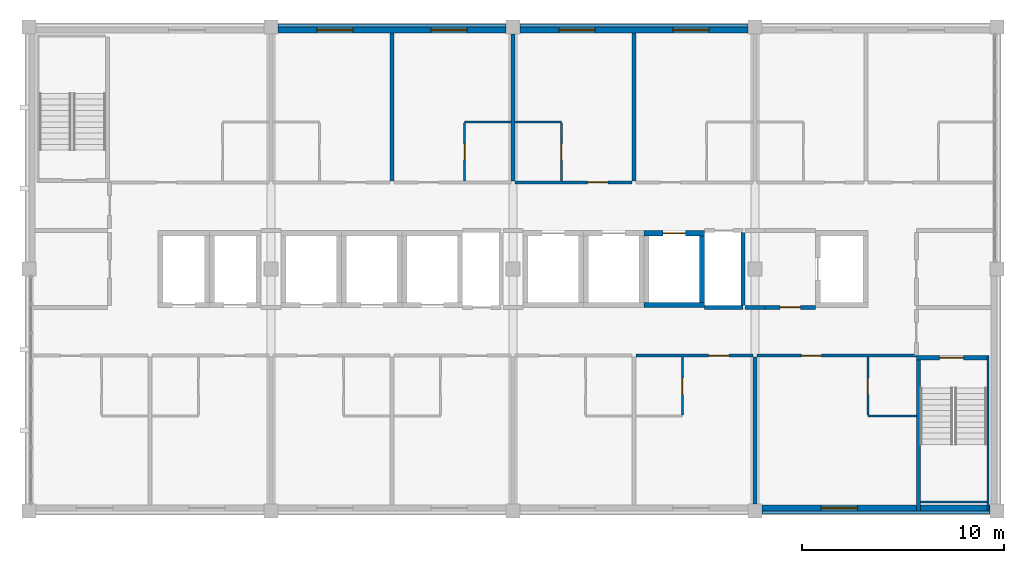
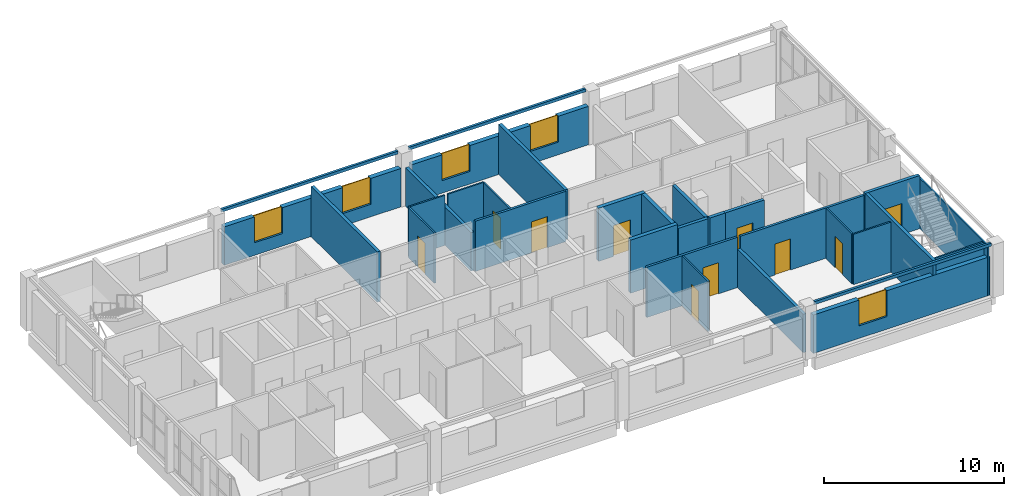
# One storey, part 8 of 11: 31 walls, 10 doors, 5 windows, 15 openings.
"""IFC4 building model written with IfcOpenShell, lengths in metres."""

from ifc_helpers import new_model, si_unit, direction, frame, frame_2d, origin, place, context, subcontext, project, spatial, rectangle, extrude, material, layer, layer_set, type_object, element, fill, save


model = new_model("IFC4")

# Units and contexts
model_context = context("Model", 3, precision=1e-05, world=origin(), true_north=direction((0.0, 1.0)))
body_context = subcontext(model_context, "Body", "Model", "MODEL_VIEW")
ifc_project = project(units=[si_unit("LENGTHUNIT", "METRE"), si_unit("AREAUNIT", "SQUARE_METRE"), si_unit("VOLUMEUNIT", "CUBIC_METRE"), si_unit("PLANEANGLEUNIT", "RADIAN"), si_unit("MASSUNIT", "GRAM", prefix="KILO")], contexts=[model_context])

# Site, building, storey
site_placement = place(None, origin())
site = spatial("IfcSite", under=ifc_project, at=site_placement, CompositionType="ELEMENT")
building_placement = place(site_placement, origin())
building = spatial("IfcBuilding", under=site, at=building_placement, Name="Lilac Gate Convention Centre", CompositionType="ELEMENT")
storey_placement = place(building_placement, frame((0.0, 0.0, 60.60009765625)))
storey = spatial("IfcBuildingStorey", under=building, at=storey_placement, Name="L15", CompositionType="ELEMENT", Elevation=60.60009765625)

# Walls
ifc_material_1 = material(Name="Concrete C40", Category="concrete")
ifc_layer_1 = layer(ifc_material_1, 0.10009765625)
ifc_layer_set_1 = layer_set([ifc_layer_1], Name="Concrete C40")
wall_type_1 = type_object("IfcWallType", Name="Core wall 100 C40", PredefinedType="SHEAR", material=ifc_layer_set_1)
wall_1_placement = place(storey_placement, frame((89.550048828125, 229.699951171875, 0.0), z_axis=(0.0, 0.0, 1.0), x_axis=(0.0, -1.0, 0.0)))
element("IfcWall", 1, at=wall_1_placement, inside=storey, type_object=wall_type_1, Name="CRW10 core wall TS-EX L15 1", PredefinedType="SHEAR", context=body_context, shape_type="SweptSolid", body=[
    extrude(rectangle(XDim=7.699951171875, YDim=0.10009765625, at=frame_2d((3.85009765625, 0.0))), origin(), (0.0, 0.0, 1.0), 3.39990234375),
])
wall_2_placement = place(storey_placement, frame((89.5, 222.449951171875, 0.0), z_axis=(0.0, 0.0, 1.0), x_axis=(-1.0, 0.0, 0.0)))
element("IfcWall", 2, at=wall_2_placement, inside=storey, type_object=wall_type_1, Name="CRW10 core wall TS-EX L15 2", PredefinedType="SHEAR", context=body_context, shape_type="SweptSolid", body=[
    extrude(rectangle(XDim=3.300048828125, YDim=0.10009765625, at=frame_2d((1.64990234375, 0.0))), origin(), (0.0, 0.0, 1.0), 3.39990234375),
])

# Wall, opening, door
ifc_layer_2 = layer(ifc_material_1, 0.199951171875)
ifc_layer_set_2 = layer_set([ifc_layer_2], Name="Concrete C40")
wall_type_2 = type_object("IfcWallType", Name="Core wall 200 C40", PredefinedType="SHEAR", material=ifc_layer_set_2)
wall_3_placement = place(storey_placement, frame((89.5, 229.60009765625, 0.0), z_axis=(0.0, 0.0, 1.0), x_axis=(-1.0, 0.0, 0.0)))
wall_3 = element("IfcWall", 3, at=wall_3_placement, inside=storey, type_object=wall_type_2, Name="CRW7 core wall TS-E L15 1", PredefinedType="SHEAR", context=body_context, shape_type="SweptSolid", body=[
    extrude(rectangle(XDim=3.5, YDim=0.199951171875, at=frame_2d((1.75, 0.0))), origin(), (0.0, 0.0, 1.0), 3.599853515625),
])
opening_1_placement = place(wall_3_placement, frame((1.14990234375, 0.0, 0.0)))
opening_1 = element("IfcOpeningElement", 4, at=opening_1_placement, cuts=wall_3, Name="Opening T15-046", PredefinedType="OPENING", context=body_context, shape_type="SweptSolid", body=[
    extrude(rectangle(XDim=1.199951171875, YDim=2.10009765625, at=frame_2d((0.60009765625, 1.050048828125))), frame((0.0, 0.10986328125, 0.0), z_axis=(0.0, -1.0, 0.0), x_axis=(1.0, 0.0, 0.0)), (0.0, 0.0, 1.0), 0.219970703125),
])
ifc_material_2 = material(Name="Steel Q235B", Category="steel")
door_type_1 = type_object("IfcDoorType", Name="Stair door 1200", OperationType="SINGLE_SWING_LEFT", PredefinedType="DOOR", material=ifc_material_2)
door_1_placement = place(opening_1_placement, origin())
door_1 = element("IfcDoor", 5, at=door_1_placement, inside=storey, type_object=door_type_1, Name="Stair door SE L15", OperationType="SINGLE_SWING_RIGHT", OverallHeight=2.10009765625, OverallWidth=1.199951171875, PredefinedType="DOOR", context=body_context, shape_type="SweptSolid", body=[
    extrude(rectangle(XDim=1.199951171875, YDim=2.10009765625, at=frame_2d((0.60009765625, 1.050048828125))), frame((0.0, 0.02490234375, 0.0), z_axis=(0.0, -1.0, 0.0), x_axis=(1.0, 0.0, 0.0)), (0.0, 0.0, 1.0), 0.050048828125),
])
fill(opening_1, door_1)

# Walls
wall_4_placement = place(storey_placement, frame((86.10009765625, 222.0, 0.0), z_axis=(0.0, 0.0, 1.0), x_axis=(0.0, 1.0, 0.0)))
element("IfcWall", 6, at=wall_4_placement, inside=storey, type_object=wall_type_2, Name="CRW7 core wall TS-E L15 2", PredefinedType="SHEAR", context=body_context, shape_type="SweptSolid", body=[
    extrude(rectangle(XDim=7.5, YDim=0.199951171875, at=frame_2d((3.75, 0.0))), origin(), (0.0, 0.0, 1.0), 3.599853515625),
])
ifc_layer_3 = layer(ifc_material_1, 0.25)
ifc_layer_set_3 = layer_set([ifc_layer_3], Name="Concrete C40")
wall_type_3 = type_object("IfcWallType", Name="Core wall 250 C40", PredefinedType="SHEAR", material=ifc_layer_set_3)
wall_5_placement = place(storey_placement, frame((72.5, 232.22509765625, 0.0), z_axis=(0.0, 0.0, 1.0), x_axis=(1.0, 0.0, 0.0)))
element("IfcWall", 7, at=wall_5_placement, inside=storey, type_object=wall_type_3, Name="CRW5 core wall TC L15 21", PredefinedType="SHEAR", context=body_context, shape_type="SweptSolid", body=[
    extrude(rectangle(XDim=3.0, YDim=0.25, at=frame_2d((1.5, 0.0))), origin(), (0.0, 0.0, 1.0), 3.599853515625),
])

# Wall, opening, door
wall_6_placement = place(storey_placement, frame((72.5, 235.77490234375, 0.0), z_axis=(0.0, 0.0, 1.0), x_axis=(1.0, 0.0, 0.0)))
wall_6 = element("IfcWall", 8, at=wall_6_placement, inside=storey, type_object=wall_type_3, Name="CRW5 core wall TC L15 22", PredefinedType="SHEAR", context=body_context, shape_type="SweptSolid", body=[
    extrude(rectangle(XDim=3.0, YDim=0.25, at=frame_2d((1.5, 0.0))), origin(), (0.0, 0.0, 1.0), 3.599853515625),
])
opening_2_placement = place(wall_6_placement, frame((0.949951171875, 0.0, 0.0)))
opening_2 = element("IfcOpeningElement", 9, at=opening_2_placement, cuts=wall_6, Name="Opening T15-041", PredefinedType="OPENING", context=body_context, shape_type="SweptSolid", body=[
    extrude(rectangle(XDim=1.10009765625, YDim=2.10009765625, at=frame_2d((0.550048828125, 1.050048828125))), frame((0.0, 0.135009765625, 0.0), z_axis=(0.0, -1.0, 0.0), x_axis=(1.0, 0.0, 0.0)), (0.0, 0.0, 1.0), 0.27001953125),
])
ifc_material_3 = material(Name="Stainless steel 304", Category="steel")
door_type_2 = type_object("IfcDoorType", Name="Lift landing door 1100", OperationType="SLIDING_TO_LEFT", PredefinedType="DOOR", material=ifc_material_3)
door_2_placement = place(opening_2_placement, origin())
door_2 = element("IfcDoor", 10, at=door_2_placement, inside=storey, type_object=door_type_2, Name="Lift landing door TP6 L15", OperationType="SLIDING_TO_LEFT", OverallHeight=2.10009765625, OverallWidth=1.10009765625, PredefinedType="DOOR", context=body_context, shape_type="SweptSolid", body=[
    extrude(rectangle(XDim=1.10009765625, YDim=2.10009765625, at=frame_2d((0.550048828125, 1.050048828125))), frame((0.0, 0.02490234375, 0.0), z_axis=(0.0, -1.0, 0.0), x_axis=(1.0, 0.0, 0.0)), (0.0, 0.0, 1.0), 0.050048828125),
])
fill(opening_2, door_2)

# Wall
wall_7_placement = place(storey_placement, frame((75.375, 232.35009765625, 0.0), z_axis=(0.0, 0.0, 1.0), x_axis=(0.0, 1.0, 0.0)))
element("IfcWall", 11, at=wall_7_placement, inside=storey, type_object=wall_type_3, Name="CRW5 core wall TC L15 24", PredefinedType="SHEAR", context=body_context, shape_type="SweptSolid", body=[
    extrude(rectangle(XDim=3.2998046875, YDim=0.25, at=frame_2d((1.64990234375, 0.0))), origin(), (0.0, 0.0, 1.0), 3.599853515625),
])

# Wall, opening, door
ifc_material_4 = material(Name="Gypsum board on steel stud", Category="steel")
ifc_layer_4 = layer(ifc_material_4, 0.14990234375)
ifc_layer_set_4 = layer_set([ifc_layer_4], Name="Gypsum board on steel stud")
wall_type_4 = type_object("IfcWallType", Name="Corridor wall 150", PredefinedType="PARTITIONING", material=ifc_layer_set_4)
wall_8_placement = place(storey_placement, frame((77.89990234375, 229.699951171875, 0.0), z_axis=(0.0, 0.0, 1.0), x_axis=(-1.0, 0.0, 0.0)))
wall_8 = element("IfcWall", 12, at=wall_8_placement, inside=storey, type_object=wall_type_4, Name="Corridor wall 150 front 1506", PredefinedType="PARTITIONING", context=body_context, shape_type="SweptSolid", body=[
    extrude(rectangle(XDim=5.7998046875, YDim=0.14990234375, at=frame_2d((2.89990234375, 0.0))), origin(), (0.0, 0.0, 1.0), 3.39990234375),
])
opening_3_placement = place(wall_8_placement, frame((1.199951171875, 0.0, 0.0)))
opening_3 = element("IfcOpeningElement", 13, at=opening_3_placement, cuts=wall_8, Name="Opening T15-018", PredefinedType="OPENING", context=body_context, shape_type="SweptSolid", body=[
    extrude(rectangle(XDim=1.0, YDim=2.10009765625, at=frame_2d((0.5, 1.050048828125))), frame((0.0, 0.0849609375, 0.0), z_axis=(0.0, -1.0, 0.0), x_axis=(1.0, 0.0, 0.0)), (0.0, 0.0, 1.0), 0.169921875),
])
ifc_material_5 = material(Name="Timber", Category="wood")
door_type_3 = type_object("IfcDoorType", Name="Guest room entrance door 1000", OperationType="SINGLE_SWING_LEFT", PredefinedType="DOOR", material=ifc_material_5)
door_3_placement = place(opening_3_placement, origin())
door_3 = element("IfcDoor", 14, at=door_3_placement, inside=storey, type_object=door_type_3, Name="Guest room door 1506", OperationType="SINGLE_SWING_LEFT", OverallHeight=2.10009765625, OverallWidth=1.0, PredefinedType="DOOR", context=body_context, shape_type="SweptSolid", body=[
    extrude(rectangle(XDim=1.0, YDim=2.10009765625, at=frame_2d((0.5, 1.050048828125))), frame((0.0, 0.02490234375, 0.0), z_axis=(0.0, -1.0, 0.0), x_axis=(1.0, 0.0, 0.0)), (0.0, 0.0, 1.0), 0.050048828125),
])
fill(opening_3, door_3)

wall_9_placement = place(storey_placement, frame((86.0, 229.699951171875, 0.0), z_axis=(0.0, 0.0, 1.0), x_axis=(-1.0, 0.0, 0.0)))
wall_9 = element("IfcWall", 15, at=wall_9_placement, inside=storey, type_object=wall_type_4, Name="Corridor wall 150 front 1507", PredefinedType="PARTITIONING", context=body_context, shape_type="SweptSolid", body=[
    extrude(rectangle(XDim=7.89990234375, YDim=0.14990234375, at=frame_2d((3.949951171875, 0.0))), origin(), (0.0, 0.0, 1.0), 3.39990234375),
])
opening_4_placement = place(wall_9_placement, frame((4.699951171875, 0.0, 0.0)))
opening_4 = element("IfcOpeningElement", 16, at=opening_4_placement, cuts=wall_9, Name="Opening T15-020", PredefinedType="OPENING", context=body_context, shape_type="SweptSolid", body=[
    extrude(rectangle(XDim=1.0, YDim=2.10009765625, at=frame_2d((0.5, 1.050048828125))), frame((0.0, 0.0849609375, 0.0), z_axis=(0.0, -1.0, 0.0), x_axis=(1.0, 0.0, 0.0)), (0.0, 0.0, 1.0), 0.169921875),
])
door_4_placement = place(opening_4_placement, origin())
door_4 = element("IfcDoor", 17, at=door_4_placement, inside=storey, type_object=door_type_3, Name="Guest room door 1507", OperationType="SINGLE_SWING_LEFT", OverallHeight=2.10009765625, OverallWidth=1.0, PredefinedType="DOOR", context=body_context, shape_type="SweptSolid", body=[
    extrude(rectangle(XDim=1.0, YDim=2.10009765625, at=frame_2d((0.5, 1.050048828125))), frame((0.0, 0.02490234375, 0.0), z_axis=(0.0, -1.0, 0.0), x_axis=(1.0, 0.0, 0.0)), (0.0, 0.0, 1.0), 0.050048828125),
])
fill(opening_4, door_4)

wall_10_placement = place(storey_placement, frame((66.10009765625, 238.300048828125, 0.0), z_axis=(0.0, 0.0, 1.0), x_axis=(1.0, 0.0, 0.0)))
wall_10 = element("IfcWall", 18, at=wall_10_placement, inside=storey, type_object=wall_type_4, Name="Corridor wall 150 front 1511", PredefinedType="PARTITIONING", context=body_context, shape_type="SweptSolid", body=[
    extrude(rectangle(XDim=5.7998046875, YDim=0.14990234375, at=frame_2d((2.89990234375, 0.0))), origin(), (0.0, 0.0, 1.0), 3.39990234375),
])
opening_5_placement = place(wall_10_placement, frame((3.60009765625, 0.0, 0.0)))
opening_5 = element("IfcOpeningElement", 19, at=opening_5_placement, cuts=wall_10, Name="Opening T15-028", PredefinedType="OPENING", context=body_context, shape_type="SweptSolid", body=[
    extrude(rectangle(XDim=1.0, YDim=2.10009765625, at=frame_2d((0.5, 1.050048828125))), frame((0.0, 0.0849609375, 0.0), z_axis=(0.0, -1.0, 0.0), x_axis=(1.0, 0.0, 0.0)), (0.0, 0.0, 1.0), 0.169921875),
])
door_5_placement = place(opening_5_placement, origin())
door_5 = element("IfcDoor", 20, at=door_5_placement, inside=storey, type_object=door_type_3, Name="Guest room door 1511", OperationType="SINGLE_SWING_LEFT", OverallHeight=2.10009765625, OverallWidth=1.0, PredefinedType="DOOR", context=body_context, shape_type="SweptSolid", body=[
    extrude(rectangle(XDim=1.0, YDim=2.10009765625, at=frame_2d((0.5, 1.050048828125))), frame((0.0, 0.02490234375, 0.0), z_axis=(0.0, -1.0, 0.0), x_axis=(1.0, 0.0, 0.0)), (0.0, 0.0, 1.0), 0.050048828125),
])
fill(opening_5, door_5)

ifc_layer_5 = layer(ifc_material_4, 0.10009765625)
ifc_layer_set_5 = layer_set([ifc_layer_5], Name="Gypsum board on steel stud")
wall_type_5 = type_object("IfcWallType", Name="En-suite wall 100", PredefinedType="PARTITIONING", material=ifc_layer_set_5)
wall_11_placement = place(storey_placement, frame((74.39990234375, 229.625, 0.0), z_axis=(0.0, 0.0, 1.0), x_axis=(0.0, -1.0, 0.0)))
wall_11 = element("IfcWall", 21, at=wall_11_placement, inside=storey, type_object=wall_type_5, Name="En-suite wall 100 bath side 1506", PredefinedType="PARTITIONING", context=body_context, shape_type="SweptSolid", body=[
    extrude(rectangle(XDim=2.875, YDim=0.10009765625, at=frame_2d((1.4375, 0.0))), origin(), (0.0, 0.0, 1.0), 3.39990234375),
])
opening_6_placement = place(wall_11_placement, frame((1.03759765625, 0.0, 0.0)))
opening_6 = element("IfcOpeningElement", 22, at=opening_6_placement, cuts=wall_11, Name="Opening T15-019", PredefinedType="OPENING", context=body_context, shape_type="SweptSolid", body=[
    extrude(rectangle(XDim=0.800048828125, YDim=2.10009765625, at=frame_2d((0.39990234375, 1.050048828125))), frame((0.0, 0.06005859375, 0.0), z_axis=(0.0, -1.0, 0.0), x_axis=(1.0, 0.0, 0.0)), (0.0, 0.0, 1.0), 0.1201171875),
])
door_type_4 = type_object("IfcDoorType", Name="En-suite door 800", OperationType="SINGLE_SWING_LEFT", PredefinedType="DOOR", material=ifc_material_5)
door_6_placement = place(opening_6_placement, origin())
door_6 = element("IfcDoor", 23, at=door_6_placement, inside=storey, type_object=door_type_4, Name="En-suite door 1506", OperationType="SINGLE_SWING_LEFT", OverallHeight=2.10009765625, OverallWidth=0.800048828125, PredefinedType="DOOR", context=body_context, shape_type="SweptSolid", body=[
    extrude(rectangle(XDim=0.800048828125, YDim=2.10009765625, at=frame_2d((0.39990234375, 1.050048828125))), frame((0.0, 0.02490234375, 0.0), z_axis=(0.0, -1.0, 0.0), x_axis=(1.0, 0.0, 0.0)), (0.0, 0.0, 1.0), 0.050048828125),
])
fill(opening_6, door_6)

# Wall
wall_12_placement = place(storey_placement, frame((83.60009765625, 226.699951171875, 0.0), z_axis=(0.0, 0.0, 1.0), x_axis=(1.0, 0.0, 0.0)))
element("IfcWall", 24, at=wall_12_placement, inside=storey, type_object=wall_type_5, Name="En-suite wall 100 bath 1507", PredefinedType="PARTITIONING", context=body_context, shape_type="SweptSolid", body=[
    extrude(rectangle(XDim=2.39990234375, YDim=0.10009765625, at=frame_2d((1.199951171875, 0.0))), origin(), (0.0, 0.0, 1.0), 3.39990234375),
])

# Wall, opening, door
wall_13_placement = place(storey_placement, frame((83.60009765625, 226.75, 0.0), z_axis=(0.0, 0.0, 1.0), x_axis=(0.0, 1.0, 0.0)))
wall_13 = element("IfcWall", 25, at=wall_13_placement, inside=storey, type_object=wall_type_5, Name="En-suite wall 100 bath side 1507", PredefinedType="PARTITIONING", context=body_context, shape_type="SweptSolid", body=[
    extrude(rectangle(XDim=2.875, YDim=0.10009765625, at=frame_2d((1.4375, 0.0))), origin(), (0.0, 0.0, 1.0), 3.39990234375),
])
opening_7_placement = place(wall_13_placement, frame((1.03759765625, 0.0, 0.0)))
opening_7 = element("IfcOpeningElement", 26, at=opening_7_placement, cuts=wall_13, Name="Opening T15-021", PredefinedType="OPENING", context=body_context, shape_type="SweptSolid", body=[
    extrude(rectangle(XDim=0.800048828125, YDim=2.10009765625, at=frame_2d((0.39990234375, 1.050048828125))), frame((0.0, 0.06005859375, 0.0), z_axis=(0.0, -1.0, 0.0), x_axis=(1.0, 0.0, 0.0)), (0.0, 0.0, 1.0), 0.1201171875),
])
door_7_placement = place(opening_7_placement, origin())
door_7 = element("IfcDoor", 27, at=door_7_placement, inside=storey, type_object=door_type_4, Name="En-suite door 1507", OperationType="SINGLE_SWING_RIGHT", OverallHeight=2.10009765625, OverallWidth=0.800048828125, PredefinedType="DOOR", context=body_context, shape_type="SweptSolid", body=[
    extrude(rectangle(XDim=0.800048828125, YDim=2.10009765625, at=frame_2d((0.39990234375, 1.050048828125))), frame((0.0, 0.02490234375, 0.0), z_axis=(0.0, -1.0, 0.0), x_axis=(1.0, 0.0, 0.0)), (0.0, 0.0, 1.0), 0.050048828125),
])
fill(opening_7, door_7)

# Wall
wall_14_placement = place(storey_placement, frame((63.60009765625, 241.300048828125, 0.0), z_axis=(0.0, 0.0, 1.0), x_axis=(1.0, 0.0, 0.0)))
element("IfcWall", 28, at=wall_14_placement, inside=storey, type_object=wall_type_5, Name="En-suite wall 100 bath 1510", PredefinedType="PARTITIONING", context=body_context, shape_type="SweptSolid", body=[
    extrude(rectangle(XDim=2.2998046875, YDim=0.10009765625, at=frame_2d((1.14990234375, 0.0))), origin(), (0.0, 0.0, 1.0), 3.39990234375),
])

# Wall, opening, door
wall_15_placement = place(storey_placement, frame((63.60009765625, 238.375, 0.0), z_axis=(0.0, 0.0, 1.0), x_axis=(0.0, 1.0, 0.0)))
wall_15 = element("IfcWall", 29, at=wall_15_placement, inside=storey, type_object=wall_type_5, Name="En-suite wall 100 bath side 1510", PredefinedType="PARTITIONING", context=body_context, shape_type="SweptSolid", body=[
    extrude(rectangle(XDim=2.875, YDim=0.10009765625, at=frame_2d((1.4375, 0.0))), origin(), (0.0, 0.0, 1.0), 3.39990234375),
])
opening_8_placement = place(wall_15_placement, frame((1.03759765625, 0.0, 0.0)))
opening_8 = element("IfcOpeningElement", 30, at=opening_8_placement, cuts=wall_15, Name="Opening T15-027", PredefinedType="OPENING", context=body_context, shape_type="SweptSolid", body=[
    extrude(rectangle(XDim=0.800048828125, YDim=2.10009765625, at=frame_2d((0.39990234375, 1.050048828125))), frame((0.0, 0.06005859375, 0.0), z_axis=(0.0, -1.0, 0.0), x_axis=(1.0, 0.0, 0.0)), (0.0, 0.0, 1.0), 0.1201171875),
])
door_8_placement = place(opening_8_placement, origin())
door_8 = element("IfcDoor", 31, at=door_8_placement, inside=storey, type_object=door_type_4, Name="En-suite door 1510", OperationType="SINGLE_SWING_LEFT", OverallHeight=2.10009765625, OverallWidth=0.800048828125, PredefinedType="DOOR", context=body_context, shape_type="SweptSolid", body=[
    extrude(rectangle(XDim=0.800048828125, YDim=2.10009765625, at=frame_2d((0.39990234375, 1.050048828125))), frame((0.0, 0.02490234375, 0.0), z_axis=(0.0, -1.0, 0.0), x_axis=(1.0, 0.0, 0.0)), (0.0, 0.0, 1.0), 0.050048828125),
])
fill(opening_8, door_8)

# Wall
wall_16_placement = place(storey_placement, frame((66.10009765625, 241.300048828125, 0.0), z_axis=(0.0, 0.0, 1.0), x_axis=(1.0, 0.0, 0.0)))
element("IfcWall", 32, at=wall_16_placement, inside=storey, type_object=wall_type_5, Name="En-suite wall 100 bath 1511", PredefinedType="PARTITIONING", context=body_context, shape_type="SweptSolid", body=[
    extrude(rectangle(XDim=2.2998046875, YDim=0.10009765625, at=frame_2d((1.14990234375, 0.0))), origin(), (0.0, 0.0, 1.0), 3.39990234375),
])

# Wall, opening, door
wall_17_placement = place(storey_placement, frame((68.39990234375, 241.25, 0.0), z_axis=(0.0, 0.0, 1.0), x_axis=(0.0, -1.0, 0.0)))
wall_17 = element("IfcWall", 33, at=wall_17_placement, inside=storey, type_object=wall_type_5, Name="En-suite wall 100 bath side 1511", PredefinedType="PARTITIONING", context=body_context, shape_type="SweptSolid", body=[
    extrude(rectangle(XDim=2.875, YDim=0.10009765625, at=frame_2d((1.4375, 0.0))), origin(), (0.0, 0.0, 1.0), 3.39990234375),
])
opening_9_placement = place(wall_17_placement, frame((1.03759765625, 0.0, 0.0)))
opening_9 = element("IfcOpeningElement", 34, at=opening_9_placement, cuts=wall_17, Name="Opening T15-029", PredefinedType="OPENING", context=body_context, shape_type="SweptSolid", body=[
    extrude(rectangle(XDim=0.800048828125, YDim=2.10009765625, at=frame_2d((0.39990234375, 1.050048828125))), frame((0.0, 0.06005859375, 0.0), z_axis=(0.0, -1.0, 0.0), x_axis=(1.0, 0.0, 0.0)), (0.0, 0.0, 1.0), 0.1201171875),
])
door_9_placement = place(opening_9_placement, origin())
door_9 = element("IfcDoor", 35, at=door_9_placement, inside=storey, type_object=door_type_4, Name="En-suite door 1511", OperationType="SINGLE_SWING_RIGHT", OverallHeight=2.10009765625, OverallWidth=0.800048828125, PredefinedType="DOOR", context=body_context, shape_type="SweptSolid", body=[
    extrude(rectangle(XDim=0.800048828125, YDim=2.10009765625, at=frame_2d((0.39990234375, 1.050048828125))), frame((0.0, 0.02490234375, 0.0), z_axis=(0.0, -1.0, 0.0), x_axis=(1.0, 0.0, 0.0)), (0.0, 0.0, 1.0), 0.050048828125),
])
fill(opening_9, door_9)

# Walls
ifc_layer_6 = layer(ifc_material_4, 0.199951171875)
ifc_layer_set_6 = layer_set([ifc_layer_6], Name="Gypsum board on steel stud")
wall_type_6 = type_object("IfcWallType", Name="Guest room party wall 200", PredefinedType="PARTITIONING", material=ifc_layer_set_6)
wall_18_placement = place(storey_placement, frame((78.0, 222.35009765625, 0.0), z_axis=(0.0, 0.0, 1.0), x_axis=(0.0, 1.0, 0.0)))
element("IfcWall", 36, at=wall_18_placement, inside=storey, type_object=wall_type_6, Name="Guest room party wall 200 party 78.0", PredefinedType="PARTITIONING", context=body_context, shape_type="SweptSolid", body=[
    extrude(rectangle(XDim=7.27490234375, YDim=0.199951171875, at=frame_2d((3.637451171875, 0.0))), origin(), (0.0, 0.0, 1.0), 2.599853515625),
])
wall_19_placement = place(storey_placement, frame((60.0, 245.7001953125, 0.0), z_axis=(0.0, 0.0, 1.0), x_axis=(0.0, -1.0, 0.0)))
element("IfcWall", 37, at=wall_19_placement, inside=storey, type_object=wall_type_6, Name="Guest room party wall 200 party 60.0", PredefinedType="PARTITIONING", context=body_context, shape_type="SweptSolid", body=[
    extrude(rectangle(XDim=7.3251953125, YDim=0.199951171875, at=frame_2d((3.66259765625, 0.0))), origin(), (0.0, 0.0, 1.0), 3.39990234375),
])
wall_20_placement = place(storey_placement, frame((66.0, 245.64990234375, 0.0), z_axis=(0.0, 0.0, 1.0), x_axis=(0.0, -1.0, 0.0)))
element("IfcWall", 38, at=wall_20_placement, inside=storey, type_object=wall_type_6, Name="Guest room party wall 200 party 66.0", PredefinedType="PARTITIONING", context=body_context, shape_type="SweptSolid", body=[
    extrude(rectangle(XDim=7.27490234375, YDim=0.199951171875, at=frame_2d((3.637451171875, 0.0))), origin(), (0.0, 0.0, 1.0), 2.599853515625),
])
wall_21_placement = place(storey_placement, frame((72.0, 245.7001953125, 0.0), z_axis=(0.0, 0.0, 1.0), x_axis=(0.0, -1.0, 0.0)))
element("IfcWall", 39, at=wall_21_placement, inside=storey, type_object=wall_type_6, Name="Guest room party wall 200 party 72.0", PredefinedType="PARTITIONING", context=body_context, shape_type="SweptSolid", body=[
    extrude(rectangle(XDim=7.3251953125, YDim=0.199951171875, at=frame_2d((3.66259765625, 0.0))), origin(), (0.0, 0.0, 1.0), 3.39990234375),
])

# Wall, opening, door
ifc_layer_7 = layer(ifc_material_4, 0.199951171875)
ifc_layer_set_7 = layer_set([ifc_layer_7], Name="Gypsum board on steel stud")
wall_type_7 = type_object("IfcWallType", Name="Lobby wall 200", PredefinedType="PARTITIONING", material=ifc_layer_set_7)
wall_22_placement = place(storey_placement, frame((78.5, 232.10009765625, 0.0), z_axis=(0.0, 0.0, 1.0), x_axis=(1.0, 0.0, 0.0)))
wall_22 = element("IfcWall", 40, at=wall_22_placement, inside=storey, type_object=wall_type_7, Name="Lobby wall 200 FFL-S", PredefinedType="PARTITIONING", context=body_context, shape_type="SweptSolid", body=[
    extrude(rectangle(XDim=2.5, YDim=0.199951171875, at=frame_2d((1.25, 0.0))), origin(), (0.0, 0.0, 1.0), 3.39990234375),
])
opening_10_placement = place(wall_22_placement, frame((0.75, 0.0, 0.0)))
opening_10 = element("IfcOpeningElement", 41, at=opening_10_placement, cuts=wall_22, Name="Opening T15-004", PredefinedType="OPENING", context=body_context, shape_type="SweptSolid", body=[
    extrude(rectangle(XDim=1.0, YDim=2.10009765625, at=frame_2d((0.5, 1.050048828125))), frame((0.0, 0.10986328125, 0.0), z_axis=(0.0, -1.0, 0.0), x_axis=(1.0, 0.0, 0.0)), (0.0, 0.0, 1.0), 0.219970703125),
])
door_type_5 = type_object("IfcDoorType", Name="Lobby door 1000", OperationType="SINGLE_SWING_LEFT", PredefinedType="DOOR", material=ifc_material_2)
door_10_placement = place(opening_10_placement, origin())
door_10 = element("IfcDoor", 42, at=door_10_placement, inside=storey, type_object=door_type_5, Name="Firefighting lobby door", OperationType="SINGLE_SWING_RIGHT", OverallHeight=2.10009765625, OverallWidth=1.0, PredefinedType="DOOR", context=body_context, shape_type="SweptSolid", body=[
    extrude(rectangle(XDim=1.0, YDim=2.10009765625, at=frame_2d((0.5, 1.050048828125))), frame((0.0, 0.02490234375, 0.0), z_axis=(0.0, -1.0, 0.0), x_axis=(1.0, 0.0, 0.0)), (0.0, 0.0, 1.0), 0.050048828125),
])
fill(opening_10, door_10)

# Walls
ifc_material_6 = material(Name="Concrete C40 precast", Category="concrete")
ifc_layer_8 = layer(ifc_material_6, 0.1298828125)
ifc_material_7 = material(Name="Terracotta glazed cladding", Category="masonry")
ifc_layer_9 = layer(ifc_material_7, 0.02001953125)
ifc_layer_set_8 = layer_set([ifc_layer_8, ifc_layer_9], Name="Concrete C40 precast, Terracotta glazed cladding")
wall_type_8 = type_object("IfcWallType", Name="Precast band terracotta 150", PredefinedType="STANDARD", material=ifc_layer_set_8)
for number, where, z_axis, x_axis, name in (
    (43, (78.35009765625, 221.925048828125, 3.39990234375), (0.0, 0.0, 1.0), (1.0, 0.0, 0.0), "Precast band S L15 4"),
    (44, (77.64990234375, 246.074951171875, 3.39990234375), (0.0, 0.0, 1.0), (-1.0, 0.0, 0.0), "Precast band N L15 2"),
    (45, (65.64990234375, 246.074951171875, 3.39990234375), (0.0, 0.0, 1.0), (-1.0, 0.0, 0.0), "Precast band N L15 3"),
):
    element("IfcWall", number, at=place(storey_placement, frame(where, z_axis=z_axis, x_axis=x_axis)), inside=storey, type_object=wall_type_8, Name=name, PredefinedType="STANDARD", context=body_context, shape_type="SweptSolid", body=[
        extrude(rectangle(XDim=11.2998046875, YDim=0.14990234375, at=frame_2d((5.64990234375, 0.0))), origin(), (0.0, 0.0, 1.0), 0.199951171875),
    ])

# Wall, opening, window
ifc_material_8 = material(Name="Ochre mineral render")
ifc_layer_10 = layer(ifc_material_8, 0.02001953125)
ifc_layer_11 = layer(ifc_material_6, 0.06005859375)
ifc_material_9 = material(Name="Ventilated air cavity")
ifc_layer_12 = layer(ifc_material_9, 0.030029296875)
ifc_material_10 = material(Name="Mineral wool insulation")
ifc_layer_13 = layer(ifc_material_10, 0.1201171875)
ifc_material_11 = material(Name="Steel stud Q345 and gypsum lining", Category="steel")
ifc_layer_14 = layer(ifc_material_11, 0.070068359375)
ifc_layer_set_9 = layer_set([ifc_layer_10, ifc_layer_11, ifc_layer_12, ifc_layer_13, ifc_layer_14], Name="Ochre mineral render, Concrete C40 precast, Ventilated air cavity, Mineral wool insulation, Steel stud Q345 and gypsum lining")
wall_type_9 = type_object("IfcWallType", Name="Precast panel wall ochre 300", PredefinedType="STANDARD", material=ifc_layer_set_9)
wall_23_placement = place(storey_placement, frame((78.35009765625, 222.14990234375, 0.0), z_axis=(0.0, 0.0, 1.0), x_axis=(1.0, 0.0, 0.0)))
wall_23 = element("IfcWall", 46, at=wall_23_placement, inside=storey, type_object=wall_type_9, Name="External wall S L15 4", PredefinedType="STANDARD", context=body_context, shape_type="SweptSolid", body=[
    extrude(rectangle(XDim=11.2998046875, YDim=0.300048828125, at=frame_2d((5.64990234375, 0.0))), origin(), (0.0, 0.0, 1.0), 2.599853515625),
])
opening_11_placement = place(wall_23_placement, frame((2.925048828125, 0.0, 0.85009765625)))
opening_11 = element("IfcOpeningElement", 47, at=opening_11_placement, cuts=wall_23, Name="Opening W1", PredefinedType="OPENING", context=body_context, shape_type="SweptSolid", body=[
    extrude(rectangle(XDim=1.800048828125, YDim=1.75, at=frame_2d((0.89990234375, 0.875))), frame((0.0, 0.159912109375, 0.0), z_axis=(0.0, -1.0, 0.0), x_axis=(1.0, 0.0, 0.0)), (0.0, 0.0, 1.0), 0.320068359375),
])
ifc_material_12 = material(Name="Aluminium framed double glazing", Category="aluminium")
window_type = type_object("IfcWindowType", Name="Guest room window 1800 x 1750", PartitioningType="DOUBLE_PANEL_VERTICAL", PredefinedType="WINDOW", material=ifc_material_12)
window_1_placement = place(opening_11_placement, origin())
window_1 = element("IfcWindow", 48, at=window_1_placement, inside=storey, type_object=window_type, Name="Window Guest S L15", OverallHeight=1.75, OverallWidth=1.800048828125, PartitioningType="SINGLE_PANEL", PredefinedType="WINDOW", context=body_context, shape_type="SweptSolid", body=[
    extrude(rectangle(XDim=1.800048828125, YDim=1.75, at=frame_2d((0.89990234375, 0.875))), frame((0.0, 0.030029296875, 0.0), z_axis=(0.0, -1.0, 0.0), x_axis=(1.0, 0.0, 0.0)), (0.0, 0.0, 1.0), 0.06005859375),
])
fill(opening_11, window_1)

# Wall, openings, windows
wall_24_placement = place(storey_placement, frame((77.64990234375, 245.85009765625, 0.0), z_axis=(0.0, 0.0, 1.0), x_axis=(-1.0, 0.0, 0.0)))
wall_24 = element("IfcWall", 49, at=wall_24_placement, inside=storey, type_object=wall_type_9, Name="External wall N L15 2", PredefinedType="STANDARD", context=body_context, shape_type="SweptSolid", body=[
    extrude(rectangle(XDim=11.2998046875, YDim=0.300048828125, at=frame_2d((5.64990234375, 0.0))), origin(), (0.0, 0.0, 1.0), 2.599853515625),
])
opening_12_placement = place(wall_24_placement, frame((7.574951171875, 0.0, 0.85009765625)))
opening_12 = element("IfcOpeningElement", 50, at=opening_12_placement, cuts=wall_24, Name="Opening W1", PredefinedType="OPENING", context=body_context, shape_type="SweptSolid", body=[
    extrude(rectangle(XDim=1.800048828125, YDim=1.75, at=frame_2d((0.89990234375, 0.875))), frame((0.0, 0.159912109375, 0.0), z_axis=(0.0, -1.0, 0.0), x_axis=(1.0, 0.0, 0.0)), (0.0, 0.0, 1.0), 0.320068359375),
])
opening_13_placement = place(wall_24_placement, frame((1.925048828125, 0.0, 0.85009765625)))
opening_13 = element("IfcOpeningElement", 51, at=opening_13_placement, cuts=wall_24, Name="Opening W1", PredefinedType="OPENING", context=body_context, shape_type="SweptSolid", body=[
    extrude(rectangle(XDim=1.800048828125, YDim=1.75, at=frame_2d((0.89990234375, 0.875))), frame((0.0, 0.159912109375, 0.0), z_axis=(0.0, -1.0, 0.0), x_axis=(1.0, 0.0, 0.0)), (0.0, 0.0, 1.0), 0.320068359375),
])
window_2_placement = place(opening_12_placement, origin())
window_2 = element("IfcWindow", 52, at=window_2_placement, inside=storey, type_object=window_type, Name="Window Guest N L15", OverallHeight=1.75, OverallWidth=1.800048828125, PartitioningType="SINGLE_PANEL", PredefinedType="WINDOW", context=body_context, shape_type="SweptSolid", body=[
    extrude(rectangle(XDim=1.800048828125, YDim=1.75, at=frame_2d((0.89990234375, 0.875))), frame((0.0, 0.030029296875, 0.0), z_axis=(0.0, -1.0, 0.0), x_axis=(1.0, 0.0, 0.0)), (0.0, 0.0, 1.0), 0.06005859375),
])
fill(opening_12, window_2)
window_3_placement = place(opening_13_placement, origin())
window_3 = element("IfcWindow", 53, at=window_3_placement, inside=storey, type_object=window_type, Name="Window Guest N L15", OverallHeight=1.75, OverallWidth=1.800048828125, PartitioningType="SINGLE_PANEL", PredefinedType="WINDOW", context=body_context, shape_type="SweptSolid", body=[
    extrude(rectangle(XDim=1.800048828125, YDim=1.75, at=frame_2d((0.89990234375, 0.875))), frame((0.0, 0.030029296875, 0.0), z_axis=(0.0, -1.0, 0.0), x_axis=(1.0, 0.0, 0.0)), (0.0, 0.0, 1.0), 0.06005859375),
])
fill(opening_13, window_3)

wall_25_placement = place(storey_placement, frame((65.64990234375, 245.85009765625, 0.0), z_axis=(0.0, 0.0, 1.0), x_axis=(-1.0, 0.0, 0.0)))
wall_25 = element("IfcWall", 54, at=wall_25_placement, inside=storey, type_object=wall_type_9, Name="External wall N L15 3", PredefinedType="STANDARD", context=body_context, shape_type="SweptSolid", body=[
    extrude(rectangle(XDim=11.2998046875, YDim=0.300048828125, at=frame_2d((5.64990234375, 0.0))), origin(), (0.0, 0.0, 1.0), 2.599853515625),
])
opening_14_placement = place(wall_25_placement, frame((7.574951171875, 0.0, 0.85009765625)))
opening_14 = element("IfcOpeningElement", 55, at=opening_14_placement, cuts=wall_25, Name="Opening W1", PredefinedType="OPENING", context=body_context, shape_type="SweptSolid", body=[
    extrude(rectangle(XDim=1.800048828125, YDim=1.75, at=frame_2d((0.89990234375, 0.875))), frame((0.0, 0.159912109375, 0.0), z_axis=(0.0, -1.0, 0.0), x_axis=(1.0, 0.0, 0.0)), (0.0, 0.0, 1.0), 0.320068359375),
])
opening_15_placement = place(wall_25_placement, frame((1.925048828125, 0.0, 0.85009765625)))
opening_15 = element("IfcOpeningElement", 56, at=opening_15_placement, cuts=wall_25, Name="Opening W1", PredefinedType="OPENING", context=body_context, shape_type="SweptSolid", body=[
    extrude(rectangle(XDim=1.800048828125, YDim=1.75, at=frame_2d((0.89990234375, 0.875))), frame((0.0, 0.159912109375, 0.0), z_axis=(0.0, -1.0, 0.0), x_axis=(1.0, 0.0, 0.0)), (0.0, 0.0, 1.0), 0.320068359375),
])
window_4_placement = place(opening_14_placement, origin())
window_4 = element("IfcWindow", 57, at=window_4_placement, inside=storey, type_object=window_type, Name="Window Guest N L15", OverallHeight=1.75, OverallWidth=1.800048828125, PartitioningType="SINGLE_PANEL", PredefinedType="WINDOW", context=body_context, shape_type="SweptSolid", body=[
    extrude(rectangle(XDim=1.800048828125, YDim=1.75, at=frame_2d((0.89990234375, 0.875))), frame((0.0, 0.030029296875, 0.0), z_axis=(0.0, -1.0, 0.0), x_axis=(1.0, 0.0, 0.0)), (0.0, 0.0, 1.0), 0.06005859375),
])
fill(opening_14, window_4)
window_5_placement = place(opening_15_placement, origin())
window_5 = element("IfcWindow", 58, at=window_5_placement, inside=storey, type_object=window_type, Name="Window Guest N L15", OverallHeight=1.75, OverallWidth=1.800048828125, PartitioningType="SINGLE_PANEL", PredefinedType="WINDOW", context=body_context, shape_type="SweptSolid", body=[
    extrude(rectangle(XDim=1.800048828125, YDim=1.75, at=frame_2d((0.89990234375, 0.875))), frame((0.0, 0.030029296875, 0.0), z_axis=(0.0, -1.0, 0.0), x_axis=(1.0, 0.0, 0.0)), (0.0, 0.0, 1.0), 0.06005859375),
])
fill(opening_15, window_5)

# Walls
ifc_layer_15 = layer(ifc_material_4, 0.199951171875)
ifc_layer_set_10 = layer_set([ifc_layer_15], Name="Gypsum board on steel stud")
wall_type_10 = type_object("IfcWallType", Name="Riser and store wall 200", PredefinedType="PARTITIONING", material=ifc_layer_set_10)
wall_26_placement = place(storey_placement, frame((75.5, 232.10009765625, 0.0), z_axis=(0.0, 0.0, 1.0), x_axis=(1.0, 0.0, 0.0)))
element("IfcWall", 59, at=wall_26_placement, inside=storey, type_object=wall_type_10, Name="Riser and store wall 200 RS2-S", PredefinedType="PARTITIONING", context=body_context, shape_type="SweptSolid", body=[
    extrude(rectangle(XDim=1.89990234375, YDim=0.199951171875, at=frame_2d((0.949951171875, 0.0))), origin(), (0.0, 0.0, 1.0), 3.39990234375),
])
wall_27_placement = place(storey_placement, frame((77.5, 232.10009765625, 0.0), z_axis=(0.0, 0.0, 1.0), x_axis=(1.0, 0.0, 0.0)))
element("IfcWall", 60, at=wall_27_placement, inside=storey, type_object=wall_type_10, Name="Riser and store wall 200 NICHE3-S", PredefinedType="PARTITIONING", context=body_context, shape_type="SweptSolid", body=[
    extrude(rectangle(XDim=1.0, YDim=0.199951171875, at=frame_2d((0.5, 0.0))), origin(), (0.0, 0.0, 1.0), 3.39990234375),
])
wall_28_placement = place(storey_placement, frame((77.39990234375, 232.199951171875, 0.0), z_axis=(0.0, 0.0, 1.0), x_axis=(0.0, 1.0, 0.0)))
element("IfcWall", 61, at=wall_28_placement, inside=storey, type_object=wall_type_10, Name="Riser and store wall 200 RS2-E", PredefinedType="PARTITIONING", context=body_context, shape_type="SweptSolid", body=[
    extrude(rectangle(XDim=3.60009765625, YDim=0.199951171875, at=frame_2d((1.800048828125, 0.0))), origin(), (0.0, 0.0, 1.0), 3.39990234375),
])

save(model, "model.ifc")
